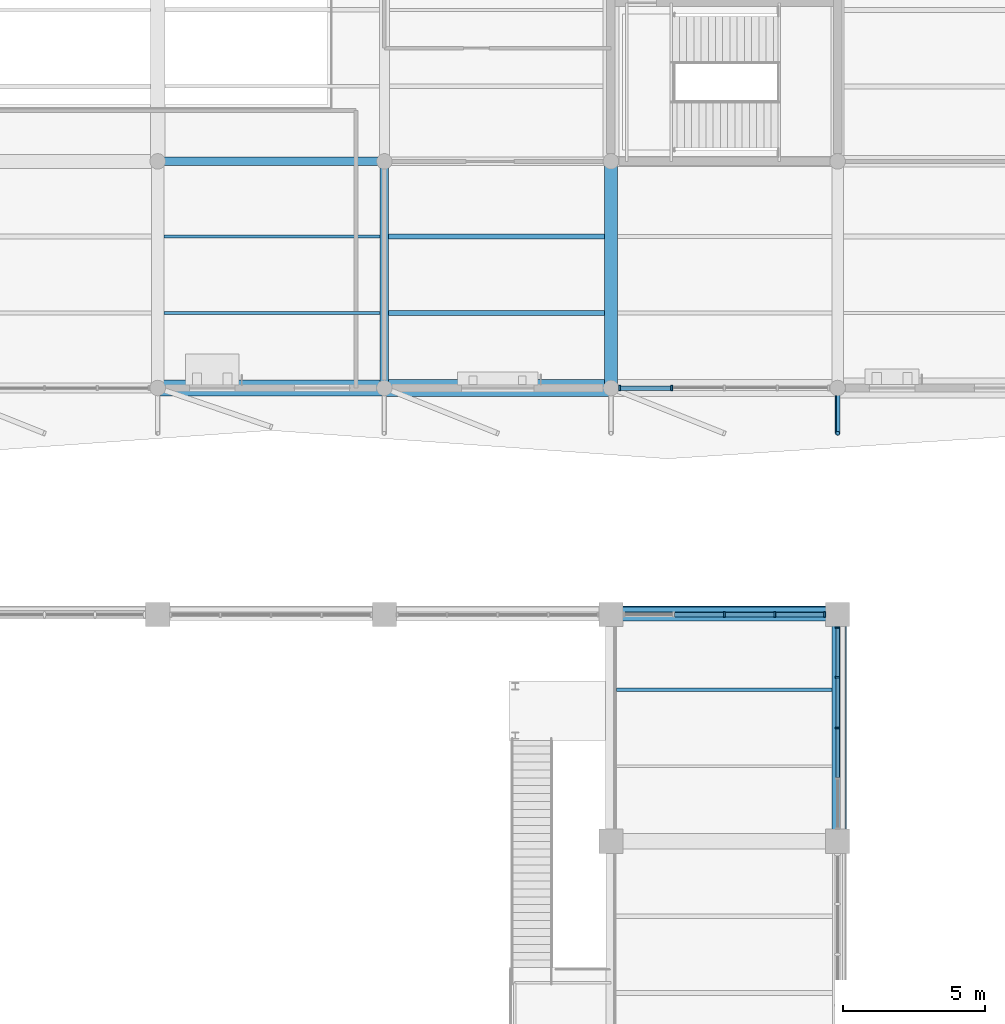
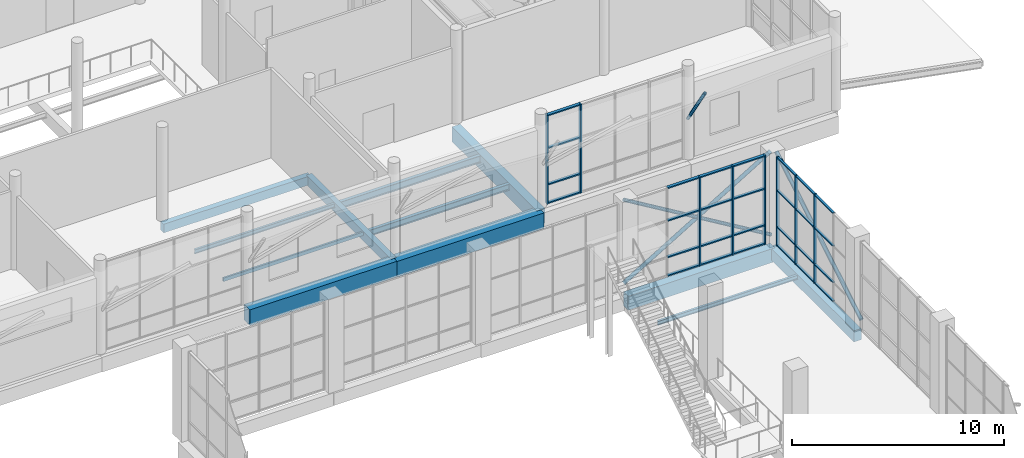
# One storey, part 59 of 122: 40 members, 12 beams, 3 elements without a shape of their own.
"""IFC4 building model written with IfcOpenShell, lengths in metres."""

from ifc_helpers import new_model, si_unit, direction, frame, origin, origin_2d, place, context, subcontext, project, spatial, rectangle, hollow_rectangle, hollow_circle, i_section, extrude, material, material_profile, profile_set, type_object, element, aggregate, save


model = new_model("IFC4")

# Units and contexts
model_context = context("Model", 3, precision=1e-05, world=origin(), true_north=direction((0.0, 1.0)))
body_context = subcontext(model_context, "Body", "Model", "MODEL_VIEW")
ifc_project = project(units=[si_unit("LENGTHUNIT", "METRE"), si_unit("AREAUNIT", "SQUARE_METRE"), si_unit("VOLUMEUNIT", "CUBIC_METRE"), si_unit("PLANEANGLEUNIT", "RADIAN"), si_unit("MASSUNIT", "GRAM", prefix="KILO")], contexts=[model_context])

# Site, building, storey
site_placement = place(None, origin())
site = spatial("IfcSite", under=ifc_project, at=site_placement, CompositionType="ELEMENT")
building_placement = place(site_placement, origin())
building = spatial("IfcBuilding", under=site, at=building_placement, Name="Tenunan Teduh Sports Hall", CompositionType="ELEMENT")
storey_placement = place(building_placement, frame((0.0, 0.0, 5.39990234375)))
storey = spatial("IfcBuildingStorey", under=building, at=storey_placement, Name="L01", CompositionType="ELEMENT", Elevation=5.39990234375)

# Beams
ifc_material_1 = material(Name="Concrete C40/50", Category="concrete")
ifc_material_profile_1 = material_profile(ifc_material_1, rectangle(XDim=0.300048828125, YDim=0.5, at=origin_2d()), Name="RCB 300x500")
ifc_profile_set_1 = profile_set([ifc_material_profile_1], Name="Concrete C40/50")
beam_type_1 = type_object("IfcBeamType", Name="BM-RC-300x500", PredefinedType="BEAM", material=ifc_profile_set_1)
beam_1_placement = place(storey_placement, frame((130.0, 94.0, -0.510009765625), z_axis=(1.0, 0.0, 0.0), x_axis=(0.0, 1.0, 0.0)))
element("IfcBeam", 1, at=beam_1_placement, inside=storey, type_object=beam_type_1, Name="BM-B-01-L01-1134", PredefinedType="BEAM", context=body_context, shape_type="SweptSolid", body=[
    extrude(rectangle(XDim=0.300048828125, YDim=0.5, at=origin_2d()), origin(), (0.0, 0.0, 1.0), 8.0),
])
ifc_material_2 = material(Name="Concrete C40/50", Category="concrete")
ifc_material_profile_2 = material_profile(ifc_material_2, rectangle(XDim=0.300048828125, YDim=0.550048828125, at=origin_2d()), Name="RCB 300x550")
ifc_profile_set_2 = profile_set([ifc_material_profile_2], Name="Concrete C40/50")
beam_type_2 = type_object("IfcBeamType", Name="BM-RC-300x550", PredefinedType="BEAM", material=ifc_profile_set_2)
beam_2_placement = place(storey_placement, frame((138.0, 86.0, -0.534912109375), z_axis=(0.0, 1.0, 0.0), x_axis=(-1.0, 0.0, 0.0)))
element("IfcBeam", 2, at=beam_2_placement, inside=storey, type_object=beam_type_2, Name="BM-B-02-L01-1281", PredefinedType="BEAM", context=body_context, shape_type="SweptSolid", body=[
    extrude(rectangle(XDim=0.300048828125, YDim=0.550048828125, at=origin_2d()), origin(), (0.0, 0.0, 1.0), 8.0),
])
ifc_material_3 = material(Name="Concrete C40/50", Category="concrete")
ifc_material_profile_3 = material_profile(ifc_material_3, rectangle(XDim=0.39990234375, YDim=0.64990234375, at=origin_2d()), Name="RCB 400x650")
ifc_profile_set_3 = profile_set([ifc_material_profile_3], Name="Concrete C40/50")
beam_type_3 = type_object("IfcBeamType", Name="BM-RC-400x650", PredefinedType="BEAM", material=ifc_profile_set_3)
beam_3_placement = place(storey_placement, frame((154.0, 70.0, -0.5849609375), z_axis=(0.0, 1.0, 0.0), x_axis=(-1.0, 0.0, 0.0)))
element("IfcBeam", 3, at=beam_3_placement, inside=storey, type_object=beam_type_3, Name="BM-B-07-L01-1296", PredefinedType="BEAM", context=body_context, shape_type="SweptSolid", body=[
    extrude(rectangle(XDim=0.39990234375, YDim=0.64990234375, at=origin_2d()), origin(), (0.0, 0.0, 1.0), 8.0),
])
ifc_material_4 = material(Name="Concrete C40/50", Category="concrete")
ifc_material_profile_4 = material_profile(ifc_material_4, rectangle(XDim=0.449951171875, YDim=0.800048828125, at=origin_2d()), Name="RCB 450x800")
ifc_profile_set_4 = profile_set([ifc_material_profile_4], Name="Concrete C40/50")
beam_type_4 = type_object("IfcBeamType", Name="BM-RC-450x800", PredefinedType="BEAM", material=ifc_profile_set_4)
beam_4_placement = place(storey_placement, frame((146.0, 78.0, -0.659912109375), z_axis=(1.0, 0.0, 0.0), x_axis=(0.0, 1.0, 0.0)))
element("IfcBeam", 4, at=beam_4_placement, inside=storey, type_object=beam_type_4, Name="BM-B-12-L01-1104", PredefinedType="BEAM", context=body_context, shape_type="SweptSolid", body=[
    extrude(rectangle(XDim=0.449951171875, YDim=0.800048828125, at=origin_2d()), origin(), (0.0, 0.0, 1.0), 8.0),
])
ifc_material_5 = material(Name="Concrete C40/50", Category="concrete")
ifc_material_profile_5 = material_profile(ifc_material_5, rectangle(XDim=0.449951171875, YDim=0.85009765625, at=origin_2d()), Name="RCB 450x850")
ifc_profile_set_5 = profile_set([ifc_material_profile_5], Name="Concrete C40/50")
beam_type_5 = type_object("IfcBeamType", Name="BM-RC-450x850", PredefinedType="BEAM", material=ifc_profile_set_5)
beam_5_placement = place(storey_placement, frame((146.0, 86.0, -0.684814453125), z_axis=(0.0, 1.0, 0.0), x_axis=(-1.0, 0.0, 0.0)))
element("IfcBeam", 5, at=beam_5_placement, inside=storey, type_object=beam_type_5, Name="BM-B-13-L01-1289", PredefinedType="BEAM", context=body_context, shape_type="SweptSolid", body=[
    extrude(rectangle(XDim=0.449951171875, YDim=0.85009765625, at=origin_2d()), origin(), (0.0, 0.0, 1.0), 8.0),
])
ifc_material_6 = material(Name="Concrete C40/50", Category="concrete")
ifc_material_profile_6 = material_profile(ifc_material_6, rectangle(XDim=0.550048828125, YDim=0.89990234375, at=origin_2d()), Name="RCB 550x900")
ifc_profile_set_6 = profile_set([ifc_material_profile_6], Name="Concrete C40/50")
beam_type_6 = type_object("IfcBeamType", Name="BM-RC-550x900", PredefinedType="BEAM", material=ifc_profile_set_6)
beam_6_placement = place(storey_placement, frame((130.0, 86.0, -0.7099609375), z_axis=(1.0, 0.0, 0.0), x_axis=(0.0, 1.0, 0.0)))
element("IfcBeam", 6, at=beam_6_placement, inside=storey, type_object=beam_type_6, Name="BM-B-16-L01-1117", PredefinedType="BEAM", context=body_context, shape_type="SweptSolid", body=[
    extrude(rectangle(XDim=0.550048828125, YDim=0.89990234375, at=origin_2d()), origin(), (0.0, 0.0, 1.0), 8.0),
])
ifc_material_7 = material(Name="Concrete C40/50", Category="concrete")
ifc_material_profile_7 = material_profile(ifc_material_7, rectangle(XDim=0.60009765625, YDim=0.89990234375, at=origin_2d()), Name="RCB 600x900")
ifc_profile_set_7 = profile_set([ifc_material_profile_7], Name="Concrete C40/50")
beam_type_7 = type_object("IfcBeamType", Name="BM-RC-600x900", PredefinedType="BEAM", material=ifc_profile_set_7)
beam_7_placement = place(storey_placement, frame((138.0, 86.0, -0.7099609375), z_axis=(1.0, 0.0, 0.0), x_axis=(0.0, 1.0, 0.0)))
element("IfcBeam", 7, at=beam_7_placement, inside=storey, type_object=beam_type_7, Name="BM-B-17-L01-1118", PredefinedType="BEAM", context=body_context, shape_type="SweptSolid", body=[
    extrude(rectangle(XDim=0.60009765625, YDim=0.89990234375, at=origin_2d()), origin(), (0.0, 0.0, 1.0), 8.0),
])

# Curtain wall, members
ifc_material_8 = material(Name="Anodised aluminium", Category="aluminium")
curtain_wall_type = type_object("IfcCurtainWallType", Name="CW-UNIT-1", PredefinedType="NOTDEFINED", material=ifc_material_8)
curtain_wall_1_placement = place(storey_placement, origin())
curtain_wall_1 = element("IfcCurtainWall", 8, at=curtain_wall_1_placement, inside=storey, type_object=curtain_wall_type, Name="CW-CWM-150-L01-127", PredefinedType="NOTDEFINED")
ifc_material_9 = material(Name="Anodised aluminium", Category="aluminium")
ifc_material_profile_8 = material_profile(ifc_material_9, rectangle(XDim=0.06005859375, YDim=0.14990234375, at=origin_2d()), Name="CWM 60x150")
ifc_profile_set_8 = profile_set([ifc_material_profile_8], Name="Anodised aluminium")
member_type_1 = type_object("IfcMemberType", Name="CWM-150", PredefinedType="MULLION", material=ifc_profile_set_8)
member_1_placement = place(storey_placement, frame((154.0, 74.0, 0.0), z_axis=(0.0, 0.0, 1.0), x_axis=(0.0, 1.0, 0.0)))
member_1 = element("IfcMember", 9, at=member_1_placement, type_object=member_type_1, Name="CW-01 mullion 3", PredefinedType="MULLION", context=body_context, shape_type="SweptSolid", body=[
    extrude(rectangle(XDim=0.06005859375, YDim=0.14990234375, at=origin_2d()), origin(), (0.0, 0.0, 1.0), 5.1201171875),
])
member_2_placement = place(storey_placement, frame((154.0, 75.78759765625, 0.0), z_axis=(0.0, 0.0, 1.0), x_axis=(0.0, 1.0, 0.0)))
member_2 = element("IfcMember", 10, at=member_2_placement, type_object=member_type_1, Name="CW-01 mullion 4", PredefinedType="MULLION", context=body_context, shape_type="SweptSolid", body=[
    extrude(rectangle(XDim=0.06005859375, YDim=0.14990234375, at=origin_2d()), origin(), (0.0, 0.0, 1.0), 5.1201171875),
])
member_3_placement = place(storey_placement, frame((154.0, 77.544921875, 0.0), z_axis=(0.0, 0.0, 1.0), x_axis=(0.0, 1.0, 0.0)))
member_3 = element("IfcMember", 11, at=member_3_placement, type_object=member_type_1, Name="CW-01 mullion 5", PredefinedType="MULLION", context=body_context, shape_type="SweptSolid", body=[
    extrude(rectangle(XDim=0.06005859375, YDim=0.14990234375, at=origin_2d()), origin(), (0.0, 0.0, 1.0), 5.1201171875),
])

curtain_wall_2_placement = place(storey_placement, origin())
curtain_wall_2 = element("IfcCurtainWall", 12, at=curtain_wall_2_placement, inside=storey, type_object=curtain_wall_type, Name="CW-CWM-200-L01-120", PredefinedType="NOTDEFINED")
ifc_material_10 = material(Name="Anodised aluminium", Category="aluminium")
ifc_material_profile_9 = material_profile(ifc_material_10, rectangle(XDim=0.070068359375, YDim=0.199951171875, at=origin_2d()), Name="CWM 70x200")
ifc_profile_set_9 = profile_set([ifc_material_profile_9], Name="Anodised aluminium")
member_type_2 = type_object("IfcMemberType", Name="CWM-200", PredefinedType="MULLION", material=ifc_profile_set_9)
member_4_placement = place(storey_placement, frame((150.0, 78.0, 0.0), z_axis=(0.0, 0.0, 1.0), x_axis=(1.0, 0.0, 0.0)))
member_4 = element("IfcMember", 13, at=member_4_placement, type_object=member_type_2, Name="CW-01 mullion 3", PredefinedType="MULLION", context=body_context, shape_type="SweptSolid", body=[
    extrude(rectangle(XDim=0.070068359375, YDim=0.199951171875, at=origin_2d()), origin(), (0.0, 0.0, 1.0), 5.1201171875),
])
member_5_placement = place(storey_placement, frame((151.78759765625, 78.0, 0.0), z_axis=(0.0, 0.0, 1.0), x_axis=(1.0, 0.0, 0.0)))
member_5 = element("IfcMember", 14, at=member_5_placement, type_object=member_type_2, Name="CW-01 mullion 4", PredefinedType="MULLION", context=body_context, shape_type="SweptSolid", body=[
    extrude(rectangle(XDim=0.070068359375, YDim=0.199951171875, at=origin_2d()), origin(), (0.0, 0.0, 1.0), 5.1201171875),
])
member_6_placement = place(storey_placement, frame((153.5400390625, 78.0, 0.0), z_axis=(0.0, 0.0, 1.0), x_axis=(1.0, 0.0, 0.0)))
member_6 = element("IfcMember", 15, at=member_6_placement, type_object=member_type_2, Name="CW-01 mullion 5", PredefinedType="MULLION", context=body_context, shape_type="SweptSolid", body=[
    extrude(rectangle(XDim=0.070068359375, YDim=0.199951171875, at=origin_2d()), origin(), (0.0, 0.0, 1.0), 5.1201171875),
])

curtain_wall_3_placement = place(storey_placement, origin())
curtain_wall_3 = element("IfcCurtainWall", 16, at=curtain_wall_3_placement, inside=storey, type_object=curtain_wall_type, Name="CW-CWM-200-L01-244", PredefinedType="NOTDEFINED")
member_7_placement = place(storey_placement, frame((146.31005859375, 86.0, 0.0), z_axis=(0.0, 0.0, 1.0), x_axis=(1.0, 0.0, 0.0)))
member_7 = element("IfcMember", 17, at=member_7_placement, type_object=member_type_2, Name="CW-01 mullion 1", PredefinedType="MULLION", context=body_context, shape_type="SweptSolid", body=[
    extrude(rectangle(XDim=0.070068359375, YDim=0.199951171875, at=origin_2d()), origin(), (0.0, 0.0, 1.0), 5.1201171875),
])
member_8_placement = place(storey_placement, frame((148.137451171875, 86.0, 0.0), z_axis=(0.0, 0.0, 1.0), x_axis=(1.0, 0.0, 0.0)))
member_8 = element("IfcMember", 18, at=member_8_placement, type_object=member_type_2, Name="CW-01 mullion 2", PredefinedType="MULLION", context=body_context, shape_type="SweptSolid", body=[
    extrude(rectangle(XDim=0.070068359375, YDim=0.199951171875, at=origin_2d()), origin(), (0.0, 0.0, 1.0), 5.1201171875),
])

# Member
ifc_material_11 = material(Name="Anodised aluminium", Category="aluminium")
ifc_material_profile_10 = material_profile(ifc_material_11, rectangle(XDim=0.06005859375, YDim=0.1201171875, at=origin_2d()), Name="CWT 60x120")
ifc_profile_set_10 = profile_set([ifc_material_profile_10], Name="Anodised aluminium")
member_type_3 = type_object("IfcMemberType", Name="CWT-125", PredefinedType="USERDEFINED", material=ifc_profile_set_10)
member_9_placement = place(storey_placement, frame((154.0, 72.242431640625, 0.030029296875), z_axis=(0.0, 1.0, 0.0), x_axis=(0.0, 0.0, 1.0)))
member_9 = element("IfcMember", 19, at=member_9_placement, type_object=member_type_3, Name="CW-01 transom 2.1", ObjectType="TRANSOM", PredefinedType="USERDEFINED", context=body_context, shape_type="SweptSolid", body=[
    extrude(rectangle(XDim=0.06005859375, YDim=0.1201171875, at=origin_2d()), origin(), (0.0, 0.0, 1.0), 1.7275390625),
])

member_10_placement = place(storey_placement, frame((154.0, 72.242431640625, 1.10009765625), z_axis=(0.0, 1.0, 0.0), x_axis=(0.0, 0.0, 1.0)))
member_10 = element("IfcMember", 20, at=member_10_placement, type_object=member_type_3, Name="CW-01 transom 2.2", ObjectType="TRANSOM", PredefinedType="USERDEFINED", context=body_context, shape_type="SweptSolid", body=[
    extrude(rectangle(XDim=0.06005859375, YDim=0.1201171875, at=origin_2d()), origin(), (0.0, 0.0, 1.0), 1.7275390625),
])

member_11_placement = place(storey_placement, frame((154.0, 72.242431640625, 3.2001953125), z_axis=(0.0, 1.0, 0.0), x_axis=(0.0, 0.0, 1.0)))
member_11 = element("IfcMember", 21, at=member_11_placement, type_object=member_type_3, Name="CW-01 transom 2.3", ObjectType="TRANSOM", PredefinedType="USERDEFINED", context=body_context, shape_type="SweptSolid", body=[
    extrude(rectangle(XDim=0.06005859375, YDim=0.1201171875, at=origin_2d()), origin(), (0.0, 0.0, 1.0), 1.7275390625),
])

member_12_placement = place(storey_placement, frame((154.0, 72.242431640625, 5.090087890625), z_axis=(0.0, 1.0, 0.0), x_axis=(0.0, 0.0, 1.0)))
member_12 = element("IfcMember", 22, at=member_12_placement, type_object=member_type_3, Name="CW-01 transom 2.4", ObjectType="TRANSOM", PredefinedType="USERDEFINED", context=body_context, shape_type="SweptSolid", body=[
    extrude(rectangle(XDim=0.06005859375, YDim=0.1201171875, at=origin_2d()), origin(), (0.0, 0.0, 1.0), 1.7275390625),
])

member_13_placement = place(storey_placement, frame((154.0, 74.030029296875, 0.030029296875), z_axis=(0.0, 1.0, 0.0), x_axis=(0.0, 0.0, 1.0)))
member_13 = element("IfcMember", 23, at=member_13_placement, type_object=member_type_3, Name="CW-01 transom 3.1", ObjectType="TRANSOM", PredefinedType="USERDEFINED", context=body_context, shape_type="SweptSolid", body=[
    extrude(rectangle(XDim=0.06005859375, YDim=0.1201171875, at=origin_2d()), origin(), (0.0, 0.0, 1.0), 1.7275390625),
])

member_14_placement = place(storey_placement, frame((154.0, 74.030029296875, 1.10009765625), z_axis=(0.0, 1.0, 0.0), x_axis=(0.0, 0.0, 1.0)))
member_14 = element("IfcMember", 24, at=member_14_placement, type_object=member_type_3, Name="CW-01 transom 3.2", ObjectType="TRANSOM", PredefinedType="USERDEFINED", context=body_context, shape_type="SweptSolid", body=[
    extrude(rectangle(XDim=0.06005859375, YDim=0.1201171875, at=origin_2d()), origin(), (0.0, 0.0, 1.0), 1.7275390625),
])

member_15_placement = place(storey_placement, frame((154.0, 74.030029296875, 3.2001953125), z_axis=(0.0, 1.0, 0.0), x_axis=(0.0, 0.0, 1.0)))
member_15 = element("IfcMember", 25, at=member_15_placement, type_object=member_type_3, Name="CW-01 transom 3.3", ObjectType="TRANSOM", PredefinedType="USERDEFINED", context=body_context, shape_type="SweptSolid", body=[
    extrude(rectangle(XDim=0.06005859375, YDim=0.1201171875, at=origin_2d()), origin(), (0.0, 0.0, 1.0), 1.7275390625),
])

member_16_placement = place(storey_placement, frame((154.0, 74.030029296875, 5.090087890625), z_axis=(0.0, 1.0, 0.0), x_axis=(0.0, 0.0, 1.0)))
member_16 = element("IfcMember", 26, at=member_16_placement, type_object=member_type_3, Name="CW-01 transom 3.4", ObjectType="TRANSOM", PredefinedType="USERDEFINED", context=body_context, shape_type="SweptSolid", body=[
    extrude(rectangle(XDim=0.06005859375, YDim=0.1201171875, at=origin_2d()), origin(), (0.0, 0.0, 1.0), 1.7275390625),
])

member_17_placement = place(storey_placement, frame((154.0, 75.8173828125, 0.030029296875), z_axis=(0.0, 1.0, 0.0), x_axis=(0.0, 0.0, 1.0)))
member_17 = element("IfcMember", 27, at=member_17_placement, type_object=member_type_3, Name="CW-01 transom 4.1", ObjectType="TRANSOM", PredefinedType="USERDEFINED", context=body_context, shape_type="SweptSolid", body=[
    extrude(rectangle(XDim=0.06005859375, YDim=0.1201171875, at=origin_2d()), origin(), (0.0, 0.0, 1.0), 1.697509765625),
])

member_18_placement = place(storey_placement, frame((154.0, 75.8173828125, 1.10009765625), z_axis=(0.0, 1.0, 0.0), x_axis=(0.0, 0.0, 1.0)))
member_18 = element("IfcMember", 28, at=member_18_placement, type_object=member_type_3, Name="CW-01 transom 4.2", ObjectType="TRANSOM", PredefinedType="USERDEFINED", context=body_context, shape_type="SweptSolid", body=[
    extrude(rectangle(XDim=0.06005859375, YDim=0.1201171875, at=origin_2d()), origin(), (0.0, 0.0, 1.0), 1.697509765625),
])

member_19_placement = place(storey_placement, frame((154.0, 75.8173828125, 3.2001953125), z_axis=(0.0, 1.0, 0.0), x_axis=(0.0, 0.0, 1.0)))
member_19 = element("IfcMember", 29, at=member_19_placement, type_object=member_type_3, Name="CW-01 transom 4.3", ObjectType="TRANSOM", PredefinedType="USERDEFINED", context=body_context, shape_type="SweptSolid", body=[
    extrude(rectangle(XDim=0.06005859375, YDim=0.1201171875, at=origin_2d()), origin(), (0.0, 0.0, 1.0), 1.697509765625),
])

member_20_placement = place(storey_placement, frame((154.0, 75.8173828125, 5.090087890625), z_axis=(0.0, 1.0, 0.0), x_axis=(0.0, 0.0, 1.0)))
member_20 = element("IfcMember", 30, at=member_20_placement, type_object=member_type_3, Name="CW-01 transom 4.4", ObjectType="TRANSOM", PredefinedType="USERDEFINED", context=body_context, shape_type="SweptSolid", body=[
    extrude(rectangle(XDim=0.06005859375, YDim=0.1201171875, at=origin_2d()), origin(), (0.0, 0.0, 1.0), 1.697509765625),
])

aggregate(curtain_wall_1, [member_1, member_2, member_3, member_9, member_10, member_11, member_12, member_13, member_14, member_15, member_16, member_17, member_18, member_19, member_20])

ifc_material_12 = material(Name="Anodised aluminium", Category="aluminium")
ifc_material_profile_11 = material_profile(ifc_material_12, rectangle(XDim=0.070068359375, YDim=0.159912109375, at=origin_2d()), Name="CWT 70x160")
ifc_profile_set_11 = profile_set([ifc_material_profile_11], Name="Anodised aluminium")
member_type_4 = type_object("IfcMemberType", Name="CWT-200", PredefinedType="USERDEFINED", material=ifc_profile_set_11)
member_21_placement = place(storey_placement, frame((148.24755859375, 78.0, 0.03515625), z_axis=(1.0, 0.0, 0.0), x_axis=(0.0, 0.0, 1.0)))
member_21 = element("IfcMember", 31, at=member_21_placement, type_object=member_type_4, Name="CW-01 transom 2.1", ObjectType="TRANSOM", PredefinedType="USERDEFINED", context=body_context, shape_type="SweptSolid", body=[
    extrude(rectangle(XDim=0.070068359375, YDim=0.159912109375, at=origin_2d()), origin(), (0.0, 0.0, 1.0), 1.717529296875),
])

member_22_placement = place(storey_placement, frame((148.24755859375, 78.0, 1.10009765625), z_axis=(1.0, 0.0, 0.0), x_axis=(0.0, 0.0, 1.0)))
member_22 = element("IfcMember", 32, at=member_22_placement, type_object=member_type_4, Name="CW-01 transom 2.2", ObjectType="TRANSOM", PredefinedType="USERDEFINED", context=body_context, shape_type="SweptSolid", body=[
    extrude(rectangle(XDim=0.070068359375, YDim=0.159912109375, at=origin_2d()), origin(), (0.0, 0.0, 1.0), 1.717529296875),
])

member_23_placement = place(storey_placement, frame((148.24755859375, 78.0, 3.2001953125), z_axis=(1.0, 0.0, 0.0), x_axis=(0.0, 0.0, 1.0)))
member_23 = element("IfcMember", 33, at=member_23_placement, type_object=member_type_4, Name="CW-01 transom 2.3", ObjectType="TRANSOM", PredefinedType="USERDEFINED", context=body_context, shape_type="SweptSolid", body=[
    extrude(rectangle(XDim=0.070068359375, YDim=0.159912109375, at=origin_2d()), origin(), (0.0, 0.0, 1.0), 1.717529296875),
])

member_24_placement = place(storey_placement, frame((148.24755859375, 78.0, 5.085205078125), z_axis=(1.0, 0.0, 0.0), x_axis=(0.0, 0.0, 1.0)))
member_24 = element("IfcMember", 34, at=member_24_placement, type_object=member_type_4, Name="CW-01 transom 2.4", ObjectType="TRANSOM", PredefinedType="USERDEFINED", context=body_context, shape_type="SweptSolid", body=[
    extrude(rectangle(XDim=0.070068359375, YDim=0.159912109375, at=origin_2d()), origin(), (0.0, 0.0, 1.0), 1.717529296875),
])

member_25_placement = place(storey_placement, frame((150.034912109375, 78.0, 0.03515625), z_axis=(1.0, 0.0, 0.0), x_axis=(0.0, 0.0, 1.0)))
member_25 = element("IfcMember", 35, at=member_25_placement, type_object=member_type_4, Name="CW-01 transom 3.1", ObjectType="TRANSOM", PredefinedType="USERDEFINED", context=body_context, shape_type="SweptSolid", body=[
    extrude(rectangle(XDim=0.070068359375, YDim=0.159912109375, at=origin_2d()), origin(), (0.0, 0.0, 1.0), 1.717529296875),
])

member_26_placement = place(storey_placement, frame((150.034912109375, 78.0, 1.10009765625), z_axis=(1.0, 0.0, 0.0), x_axis=(0.0, 0.0, 1.0)))
member_26 = element("IfcMember", 36, at=member_26_placement, type_object=member_type_4, Name="CW-01 transom 3.2", ObjectType="TRANSOM", PredefinedType="USERDEFINED", context=body_context, shape_type="SweptSolid", body=[
    extrude(rectangle(XDim=0.070068359375, YDim=0.159912109375, at=origin_2d()), origin(), (0.0, 0.0, 1.0), 1.717529296875),
])

member_27_placement = place(storey_placement, frame((150.034912109375, 78.0, 3.2001953125), z_axis=(1.0, 0.0, 0.0), x_axis=(0.0, 0.0, 1.0)))
member_27 = element("IfcMember", 37, at=member_27_placement, type_object=member_type_4, Name="CW-01 transom 3.3", ObjectType="TRANSOM", PredefinedType="USERDEFINED", context=body_context, shape_type="SweptSolid", body=[
    extrude(rectangle(XDim=0.070068359375, YDim=0.159912109375, at=origin_2d()), origin(), (0.0, 0.0, 1.0), 1.717529296875),
])

member_28_placement = place(storey_placement, frame((150.034912109375, 78.0, 5.085205078125), z_axis=(1.0, 0.0, 0.0), x_axis=(0.0, 0.0, 1.0)))
member_28 = element("IfcMember", 38, at=member_28_placement, type_object=member_type_4, Name="CW-01 transom 3.4", ObjectType="TRANSOM", PredefinedType="USERDEFINED", context=body_context, shape_type="SweptSolid", body=[
    extrude(rectangle(XDim=0.070068359375, YDim=0.159912109375, at=origin_2d()), origin(), (0.0, 0.0, 1.0), 1.717529296875),
])

member_29_placement = place(storey_placement, frame((151.822509765625, 78.0, 0.03515625), z_axis=(1.0, 0.0, 0.0), x_axis=(0.0, 0.0, 1.0)))
member_29 = element("IfcMember", 39, at=member_29_placement, type_object=member_type_4, Name="CW-01 transom 4.1", ObjectType="TRANSOM", PredefinedType="USERDEFINED", context=body_context, shape_type="SweptSolid", body=[
    extrude(rectangle(XDim=0.070068359375, YDim=0.159912109375, at=origin_2d()), origin(), (0.0, 0.0, 1.0), 1.682373046875),
])

member_30_placement = place(storey_placement, frame((151.822509765625, 78.0, 1.10009765625), z_axis=(1.0, 0.0, 0.0), x_axis=(0.0, 0.0, 1.0)))
member_30 = element("IfcMember", 40, at=member_30_placement, type_object=member_type_4, Name="CW-01 transom 4.2", ObjectType="TRANSOM", PredefinedType="USERDEFINED", context=body_context, shape_type="SweptSolid", body=[
    extrude(rectangle(XDim=0.070068359375, YDim=0.159912109375, at=origin_2d()), origin(), (0.0, 0.0, 1.0), 1.682373046875),
])

member_31_placement = place(storey_placement, frame((151.822509765625, 78.0, 3.2001953125), z_axis=(1.0, 0.0, 0.0), x_axis=(0.0, 0.0, 1.0)))
member_31 = element("IfcMember", 41, at=member_31_placement, type_object=member_type_4, Name="CW-01 transom 4.3", ObjectType="TRANSOM", PredefinedType="USERDEFINED", context=body_context, shape_type="SweptSolid", body=[
    extrude(rectangle(XDim=0.070068359375, YDim=0.159912109375, at=origin_2d()), origin(), (0.0, 0.0, 1.0), 1.682373046875),
])

member_32_placement = place(storey_placement, frame((151.822509765625, 78.0, 5.085205078125), z_axis=(1.0, 0.0, 0.0), x_axis=(0.0, 0.0, 1.0)))
member_32 = element("IfcMember", 42, at=member_32_placement, type_object=member_type_4, Name="CW-01 transom 4.4", ObjectType="TRANSOM", PredefinedType="USERDEFINED", context=body_context, shape_type="SweptSolid", body=[
    extrude(rectangle(XDim=0.070068359375, YDim=0.159912109375, at=origin_2d()), origin(), (0.0, 0.0, 1.0), 1.682373046875),
])

aggregate(curtain_wall_2, [member_4, member_5, member_6, member_21, member_22, member_23, member_24, member_25, member_26, member_27, member_28, member_29, member_30, member_31, member_32])

member_33_placement = place(storey_placement, frame((146.344970703125, 86.0, 0.03515625), z_axis=(1.0, 0.0, 0.0), x_axis=(0.0, 0.0, 1.0)))
member_33 = element("IfcMember", 43, at=member_33_placement, type_object=member_type_4, Name="CW-01 transom 1.1", ObjectType="TRANSOM", PredefinedType="USERDEFINED", context=body_context, shape_type="SweptSolid", body=[
    extrude(rectangle(XDim=0.070068359375, YDim=0.159912109375, at=origin_2d()), origin(), (0.0, 0.0, 1.0), 1.757568359375),
])

member_34_placement = place(storey_placement, frame((146.344970703125, 86.0, 1.10009765625), z_axis=(1.0, 0.0, 0.0), x_axis=(0.0, 0.0, 1.0)))
member_34 = element("IfcMember", 44, at=member_34_placement, type_object=member_type_4, Name="CW-01 transom 1.2", ObjectType="TRANSOM", PredefinedType="USERDEFINED", context=body_context, shape_type="SweptSolid", body=[
    extrude(rectangle(XDim=0.070068359375, YDim=0.159912109375, at=origin_2d()), origin(), (0.0, 0.0, 1.0), 1.757568359375),
])

member_35_placement = place(storey_placement, frame((146.344970703125, 86.0, 3.2001953125), z_axis=(1.0, 0.0, 0.0), x_axis=(0.0, 0.0, 1.0)))
member_35 = element("IfcMember", 45, at=member_35_placement, type_object=member_type_4, Name="CW-01 transom 1.3", ObjectType="TRANSOM", PredefinedType="USERDEFINED", context=body_context, shape_type="SweptSolid", body=[
    extrude(rectangle(XDim=0.070068359375, YDim=0.159912109375, at=origin_2d()), origin(), (0.0, 0.0, 1.0), 1.757568359375),
])

member_36_placement = place(storey_placement, frame((146.344970703125, 86.0, 5.085205078125), z_axis=(1.0, 0.0, 0.0), x_axis=(0.0, 0.0, 1.0)))
member_36 = element("IfcMember", 46, at=member_36_placement, type_object=member_type_4, Name="CW-01 transom 1.4", ObjectType="TRANSOM", PredefinedType="USERDEFINED", context=body_context, shape_type="SweptSolid", body=[
    extrude(rectangle(XDim=0.070068359375, YDim=0.159912109375, at=origin_2d()), origin(), (0.0, 0.0, 1.0), 1.757568359375),
])

aggregate(curtain_wall_3, [member_7, member_8, member_33, member_34, member_35, member_36])

# Beams
ifc_material_13 = material(Name="Steel S355", Category="steel")
ifc_material_profile_12 = material_profile(ifc_material_13, i_section(OverallWidth=0.1201171875, OverallDepth=0.239990234375, WebThickness=0.006103515625, FlangeThickness=0.009765625, FilletRadius=0.014892578125, at=origin_2d()), Name="IPE 240")
ifc_profile_set_12 = profile_set([ifc_material_profile_12], Name="Steel S355")
beam_type_8 = type_object("IfcBeamType", Name="JST-IPE240", PredefinedType="JOIST", material=ifc_profile_set_12)
beam_8_placement = place(storey_placement, frame((130.22509765625, 91.35009765625, -0.3798828125), z_axis=(1.0, 0.0, 0.0), x_axis=(0.0, 1.0, 0.0)))
element("IfcBeam", 47, at=beam_8_placement, inside=storey, type_object=beam_type_8, Name="BM-J-02-L01-1419", PredefinedType="JOIST", context=body_context, shape_type="SweptSolid", body=[
    extrude(i_section(OverallWidth=0.1201171875, OverallDepth=0.239990234375, WebThickness=0.006103515625, FlangeThickness=0.009765625, FilletRadius=0.014892578125, at=origin_2d()), origin(), (0.0, 0.0, 1.0), 7.625),
])
beam_9_placement = place(storey_placement, frame((146.199951171875, 75.35009765625, -0.3798828125), z_axis=(1.0, 0.0, 0.0), x_axis=(0.0, 1.0, 0.0)))
element("IfcBeam", 48, at=beam_9_placement, inside=storey, type_object=beam_type_8, Name="BM-J-02-L01-1441", PredefinedType="JOIST", context=body_context, shape_type="SweptSolid", body=[
    extrude(i_section(OverallWidth=0.1201171875, OverallDepth=0.239990234375, WebThickness=0.006103515625, FlangeThickness=0.009765625, FilletRadius=0.014892578125, at=origin_2d()), origin(), (0.0, 0.0, 1.0), 7.60009765625),
])

# Members
ifc_material_14 = material(Name="Steel S355", Category="steel")
ifc_material_profile_13 = material_profile(ifc_material_14, hollow_circle(Radius=0.084228515625, WallThickness=0.008056640625, at=origin_2d()), Name="CHS 168.3x8.0")
ifc_profile_set_13 = profile_set([ifc_material_profile_13], Name="Steel S355")
member_type_5 = type_object("IfcMemberType", Name="MEM-BR-CHS168", PredefinedType="BRACE", material=ifc_profile_set_13)
member_37_placement = place(storey_placement, frame((154.0, 86.0, 2.2001953125), z_axis=(0.0, -0.551550138516, 0.834141741374), x_axis=(1.0, 0.0, 0.0)))
element("IfcMember", 49, at=member_37_placement, inside=storey, type_object=member_type_5, Name="MEM-GD-04-L01-1235", PredefinedType="BRACE", context=body_context, shape_type="SweptSolid", body=[
    extrude(hollow_circle(Radius=0.084228515625, WallThickness=0.008056640625, at=origin_2d()), origin(), (0.0, 0.0, 1.0), 2.901123046875),
])
ifc_material_15 = material(Name="Steel S355", Category="steel")
ifc_material_profile_14 = material_profile(ifc_material_15, hollow_circle(Radius=0.096923828125, WallThickness=0.008056640625, at=origin_2d()), Name="CHS 193.7x8.0")
ifc_profile_set_14 = profile_set([ifc_material_profile_14], Name="Steel S355")
member_type_6 = type_object("IfcMemberType", Name="MEM-BR-CHS194", PredefinedType="BRACE", material=ifc_profile_set_14)
member_38_placement = place(storey_placement, frame((154.0, 78.18994140625, 0.25), z_axis=(-0.857490616715, 0.0, 0.514499603737), x_axis=(0.0, -1.0, 0.0)))
element("IfcMember", 50, at=member_38_placement, inside=storey, type_object=member_type_6, Name="MEM-GD-03-L01-1067", PredefinedType="BRACE", context=body_context, shape_type="SweptSolid", body=[
    extrude(hollow_circle(Radius=0.096923828125, WallThickness=0.008056640625, at=origin_2d()), origin(), (0.0, 0.0, 1.0), 9.32958984375),
])
ifc_material_16 = material(Name="Steel S355", Category="steel")
ifc_material_profile_15 = material_profile(ifc_material_16, hollow_circle(Radius=0.109619140625, WallThickness=0.010009765625, at=origin_2d()), Name="CHS 219.1x10.0")
ifc_profile_set_15 = profile_set([ifc_material_profile_15], Name="Steel S355")
member_type_7 = type_object("IfcMemberType", Name="MEM-BR-CHS219", PredefinedType="BRACE", material=ifc_profile_set_15)
for number, where, z_axis, x_axis, name in (
    (51, (146.0, 78.199951171875, 0.25), (0.857490616715, 0.0, 0.514499603737), (0.0, 1.0, 0.0), "MEM-GD-02-L01-1066"),
    (52, (154.199951171875, 70.0, 0.25), (0.0, 0.857490616715, 0.514499603737), (-1.0, 0.0, 0.0), "MEM-GD-02-L01-1074"),
):
    element("IfcMember", number, at=place(storey_placement, frame(where, z_axis=z_axis, x_axis=x_axis)), inside=storey, type_object=member_type_7, Name=name, PredefinedType="BRACE", context=body_context, shape_type="SweptSolid", body=[
        extrude(hollow_circle(Radius=0.109619140625, WallThickness=0.010009765625, at=origin_2d()), origin(), (0.0, 0.0, 1.0), 9.32958984375),
    ])

# Beams
ifc_material_17 = material(Name="Steel S355", Category="steel")
ifc_material_profile_16 = material_profile(ifc_material_17, hollow_rectangle(XDim=0.10009765625, YDim=0.199951171875, WallThickness=0.008056640625, at=origin_2d()), Name="RHS 200x100x8.0")
ifc_profile_set_16 = profile_set([ifc_material_profile_16], Name="Steel S355")
beam_type_9 = type_object("IfcBeamType", Name="RBM-RHS200", PredefinedType="JOIST", material=ifc_profile_set_16)
beam_10_placement = place(storey_placement, frame((130.22509765625, 88.64990234375, -0.35986328125), z_axis=(1.0, 0.0, 0.0), x_axis=(0.0, 1.0, 0.0)))
element("IfcBeam", 53, at=beam_10_placement, inside=storey, type_object=beam_type_9, Name="Perimeter Ring Beam BM-RB-05-L01-1418", PredefinedType="JOIST", context=body_context, shape_type="SweptSolid", body=[
    extrude(hollow_rectangle(XDim=0.10009765625, YDim=0.199951171875, WallThickness=0.008056640625, at=origin_2d()), origin(), (0.0, 0.0, 1.0), 7.625),
])
ifc_material_18 = material(Name="Steel S355", Category="steel")
ifc_material_profile_17 = material_profile(ifc_material_18, i_section(OverallWidth=0.17138671875, OverallDepth=0.35498046875, WebThickness=0.00732421875, FlangeThickness=0.011474609375, FilletRadius=0.01025390625, at=origin_2d()), Name="UKB 356x171x51")
ifc_profile_set_17 = profile_set([ifc_material_profile_17], Name="Steel S355")
beam_type_10 = type_object("IfcBeamType", Name="SBM-UKB356", PredefinedType="BEAM", material=ifc_profile_set_17)
beam_11_placement = place(storey_placement, frame((138.14990234375, 88.64990234375, -0.4375), z_axis=(1.0, 0.0, 0.0), x_axis=(0.0, 1.0, 0.0)))
element("IfcBeam", 54, at=beam_11_placement, inside=storey, type_object=beam_type_10, Name="BM-SB-02-L01-1426", PredefinedType="BEAM", context=body_context, shape_type="SweptSolid", body=[
    extrude(i_section(OverallWidth=0.17138671875, OverallDepth=0.35498046875, WebThickness=0.00732421875, FlangeThickness=0.011474609375, FilletRadius=0.01025390625, at=origin_2d()), origin(), (0.0, 0.0, 1.0), 7.625),
])
ifc_material_19 = material(Name="Steel S355", Category="steel")
ifc_material_profile_18 = material_profile(ifc_material_19, i_section(OverallWidth=0.177978515625, OverallDepth=0.406494140625, WebThickness=0.0078125, FlangeThickness=0.0126953125, FilletRadius=0.01025390625, at=origin_2d()), Name="UKB 406x178x60")
ifc_profile_set_18 = profile_set([ifc_material_profile_18], Name="Steel S355")
beam_type_11 = type_object("IfcBeamType", Name="SBM-UKB406", PredefinedType="BEAM", material=ifc_profile_set_18)
beam_12_placement = place(storey_placement, frame((138.14990234375, 91.35009765625, -0.463134765625), z_axis=(1.0, 0.0, 0.0), x_axis=(0.0, 1.0, 0.0)))
element("IfcBeam", 55, at=beam_12_placement, inside=storey, type_object=beam_type_11, Name="BM-SB-03-L01-1427", PredefinedType="BEAM", context=body_context, shape_type="SweptSolid", body=[
    extrude(i_section(OverallWidth=0.177978515625, OverallDepth=0.406494140625, WebThickness=0.0078125, FlangeThickness=0.0126953125, FilletRadius=0.01025390625, at=origin_2d()), origin(), (0.0, 0.0, 1.0), 7.625),
])

save(model, "model.ifc")
